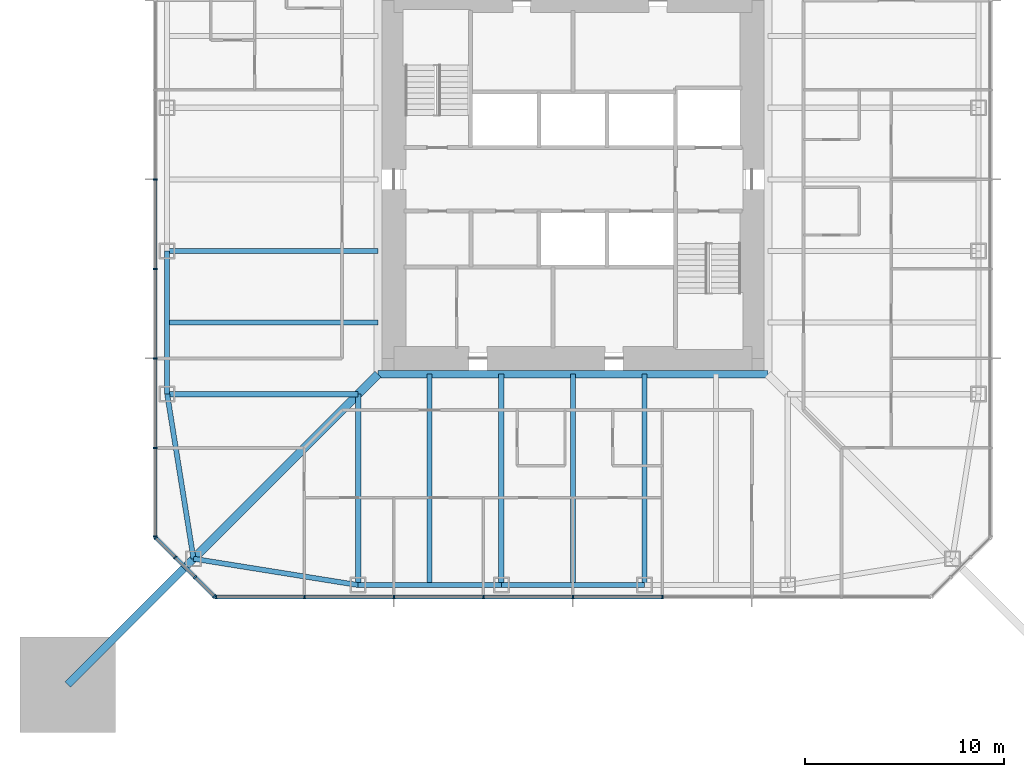
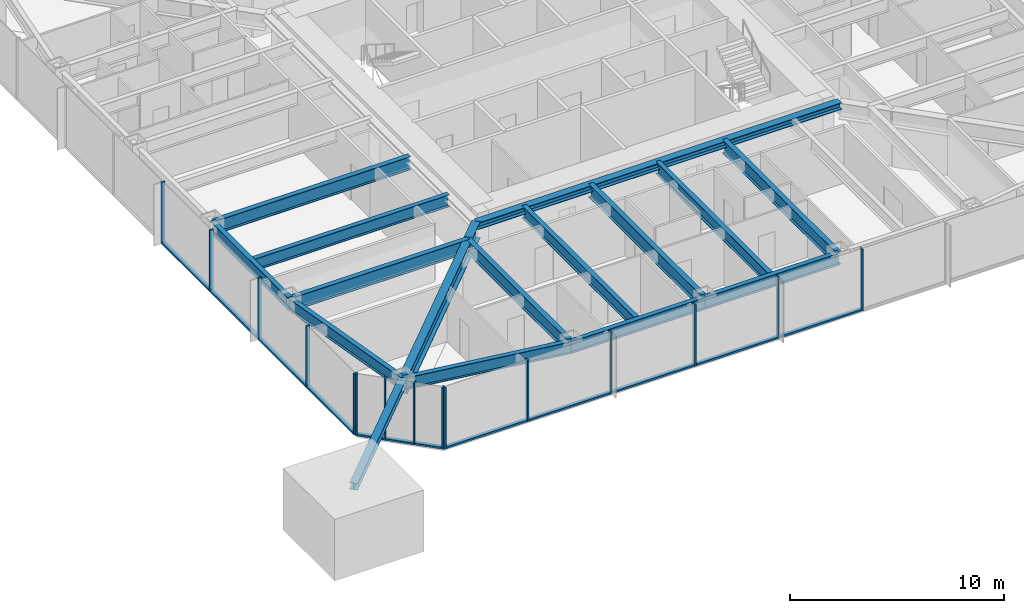
# One storey, part 3 of 25: 28 members, 15 beams, 3 elements without a shape of their own.
"""IFC4 building model written with IfcOpenShell, lengths in metres."""

from ifc_helpers import new_model, si_unit, direction, frame, origin, origin_2d, place, context, subcontext, project, spatial, rectangle, i_section, extrude, material, material_profile, profile_set, type_object, element, aggregate, save


model = new_model("IFC4")

# Units and contexts
model_context = context("Model", 3, precision=1e-05, world=origin(), true_north=direction((0.0, 1.0)))
body_context = subcontext(model_context, "Body", "Model", "MODEL_VIEW")
ifc_project = project(units=[si_unit("LENGTHUNIT", "METRE"), si_unit("AREAUNIT", "SQUARE_METRE"), si_unit("VOLUMEUNIT", "CUBIC_METRE"), si_unit("PLANEANGLEUNIT", "RADIAN"), si_unit("MASSUNIT", "GRAM", prefix="KILO")], contexts=[model_context])

# Site, building, storey
site_placement = place(None, origin())
site = spatial("IfcSite", under=ifc_project, at=site_placement, CompositionType="ELEMENT")
building_placement = place(site_placement, origin())
building = spatial("IfcBuilding", under=site, at=building_placement, Name="Iwan Alto Co-Living Towers", CompositionType="ELEMENT")
storey_placement = place(building_placement, frame((0.0, 0.0, 119.0)))
storey = spatial("IfcBuildingStorey", under=building, at=storey_placement, Name="L32", CompositionType="ELEMENT", Elevation=119.0)

# Curtain wall, members
ifc_material_1 = material(Name="Bronze aluminium unitised frame", Category="aluminium")
curtain_wall_type_1 = type_object("IfcCurtainWallType", Name="CURTAIN WALL CW-A", PredefinedType="NOTDEFINED", material=ifc_material_1)
curtain_wall_1_placement = place(storey_placement, origin())
curtain_wall_1 = element("IfcCurtainWall", 1, at=curtain_wall_1_placement, inside=storey, type_object=curtain_wall_type_1, Name="T1 curtain wall S L32", PredefinedType="NOTDEFINED")
ifc_material_2 = material(Name="Aluminium 6063-T6 bronze anodised", Category="aluminium")
ifc_material_profile_1 = material_profile(ifc_material_2, rectangle(XDim=0.199951171875, YDim=0.080078125, at=origin_2d()), Name="AL 80X200")
ifc_profile_set_1 = profile_set([ifc_material_profile_1], Name="Aluminium 6063-T6 bronze anodised")
member_type_1 = type_object("IfcMemberType", Name="CW-A MULLION 80X200", PredefinedType="MULLION", material=ifc_profile_set_1)
member_1_placement = place(storey_placement, frame((-17.9599609375, -21.0, 0.0), z_axis=(0.0, 0.0, 1.0), x_axis=(0.0, 1.0, 0.0)))
member_1 = element("IfcMember", 2, at=member_1_placement, type_object=member_type_1, Name="CW-A mullion 1", PredefinedType="MULLION", context=body_context, shape_type="SweptSolid", body=[
    extrude(rectangle(XDim=0.199951171875, YDim=0.080078125, at=origin_2d()), origin(), (0.0, 0.0, 1.0), 3.5),
])
member_2_placement = place(storey_placement, frame((-13.5, -21.0, 0.0), z_axis=(0.0, 0.0, 1.0), x_axis=(0.0, 1.0, 0.0)))
member_2 = element("IfcMember", 3, at=member_2_placement, type_object=member_type_1, Name="CW-A mullion 2", PredefinedType="MULLION", context=body_context, shape_type="SweptSolid", body=[
    extrude(rectangle(XDim=0.199951171875, YDim=0.080078125, at=origin_2d()), origin(), (0.0, 0.0, 1.0), 3.5),
])
member_3_placement = place(storey_placement, frame((-9.0, -21.0, 0.0), z_axis=(0.0, 0.0, 1.0), x_axis=(0.0, 1.0, 0.0)))
member_3 = element("IfcMember", 4, at=member_3_placement, type_object=member_type_1, Name="CW-A mullion 3", PredefinedType="MULLION", context=body_context, shape_type="SweptSolid", body=[
    extrude(rectangle(XDim=0.199951171875, YDim=0.080078125, at=origin_2d()), origin(), (0.0, 0.0, 1.0), 3.5),
])
member_4_placement = place(storey_placement, frame((-4.5, -21.0, 0.0), z_axis=(0.0, 0.0, 1.0), x_axis=(0.0, 1.0, 0.0)))
member_4 = element("IfcMember", 5, at=member_4_placement, type_object=member_type_1, Name="CW-A mullion 4", PredefinedType="MULLION", context=body_context, shape_type="SweptSolid", body=[
    extrude(rectangle(XDim=0.199951171875, YDim=0.080078125, at=origin_2d()), origin(), (0.0, 0.0, 1.0), 3.5),
])
member_5_placement = place(storey_placement, frame((0.0, -21.0, 0.0), z_axis=(0.0, 0.0, 1.0), x_axis=(0.0, 1.0, 0.0)))
member_5 = element("IfcMember", 6, at=member_5_placement, type_object=member_type_1, Name="CW-A mullion 5", PredefinedType="MULLION", context=body_context, shape_type="SweptSolid", body=[
    extrude(rectangle(XDim=0.199951171875, YDim=0.080078125, at=origin_2d()), origin(), (0.0, 0.0, 1.0), 3.5),
])
member_6_placement = place(storey_placement, frame((4.5, -21.0, 0.0), z_axis=(0.0, 0.0, 1.0), x_axis=(0.0, 1.0, 0.0)))
member_6 = element("IfcMember", 7, at=member_6_placement, type_object=member_type_1, Name="CW-A mullion 6", PredefinedType="MULLION", context=body_context, shape_type="SweptSolid", body=[
    extrude(rectangle(XDim=0.199951171875, YDim=0.080078125, at=origin_2d()), origin(), (0.0, 0.0, 1.0), 3.5),
])

curtain_wall_2_placement = place(storey_placement, origin())
curtain_wall_2 = element("IfcCurtainWall", 8, at=curtain_wall_2_placement, inside=storey, type_object=curtain_wall_type_1, Name="T1 curtain wall W L32", PredefinedType="NOTDEFINED")
member_7_placement = place(storey_placement, frame((-21.0, 0.0, 0.0), z_axis=(0.0, 0.0, 1.0), x_axis=(1.0, 0.0, 0.0)))
member_7 = element("IfcMember", 9, at=member_7_placement, type_object=member_type_1, Name="CW-A mullion 5", PredefinedType="MULLION", context=body_context, shape_type="SweptSolid", body=[
    extrude(rectangle(XDim=0.199951171875, YDim=0.080078125, at=origin_2d()), origin(), (0.0, 0.0, 1.0), 3.5),
])
member_8_placement = place(storey_placement, frame((-21.0, -4.5, 0.0), z_axis=(0.0, 0.0, 1.0), x_axis=(1.0, 0.0, 0.0)))
member_8 = element("IfcMember", 10, at=member_8_placement, type_object=member_type_1, Name="CW-A mullion 6", PredefinedType="MULLION", context=body_context, shape_type="SweptSolid", body=[
    extrude(rectangle(XDim=0.199951171875, YDim=0.080078125, at=origin_2d()), origin(), (0.0, 0.0, 1.0), 3.5),
])
member_9_placement = place(storey_placement, frame((-21.0, -9.0, 0.0), z_axis=(0.0, 0.0, 1.0), x_axis=(1.0, 0.0, 0.0)))
member_9 = element("IfcMember", 11, at=member_9_placement, type_object=member_type_1, Name="CW-A mullion 7", PredefinedType="MULLION", context=body_context, shape_type="SweptSolid", body=[
    extrude(rectangle(XDim=0.199951171875, YDim=0.080078125, at=origin_2d()), origin(), (0.0, 0.0, 1.0), 3.5),
])
member_10_placement = place(storey_placement, frame((-21.0, -13.5, 0.0), z_axis=(0.0, 0.0, 1.0), x_axis=(1.0, 0.0, 0.0)))
member_10 = element("IfcMember", 12, at=member_10_placement, type_object=member_type_1, Name="CW-A mullion 8", PredefinedType="MULLION", context=body_context, shape_type="SweptSolid", body=[
    extrude(rectangle(XDim=0.199951171875, YDim=0.080078125, at=origin_2d()), origin(), (0.0, 0.0, 1.0), 3.5),
])
member_11_placement = place(storey_placement, frame((-21.0, -17.9599609375, 0.0), z_axis=(0.0, 0.0, 1.0), x_axis=(1.0, 0.0, 0.0)))
member_11 = element("IfcMember", 13, at=member_11_placement, type_object=member_type_1, Name="CW-A mullion 9", PredefinedType="MULLION", context=body_context, shape_type="SweptSolid", body=[
    extrude(rectangle(XDim=0.199951171875, YDim=0.080078125, at=origin_2d()), origin(), (0.0, 0.0, 1.0), 3.5),
])

# Member
ifc_material_3 = material(Name="Aluminium 6063-T6 bronze anodised", Category="aluminium")
ifc_material_profile_2 = material_profile(ifc_material_3, rectangle(XDim=0.199951171875, YDim=0.10009765625, at=origin_2d()), Name="AL 200X100")
ifc_profile_set_2 = profile_set([ifc_material_profile_2], Name="Aluminium 6063-T6 bronze anodised")
member_type_2 = type_object("IfcMemberType", Name="CW-A TRANSOM 200X100", PredefinedType="USERDEFINED", material=ifc_profile_set_2)
member_12_placement = place(storey_placement, frame((-17.919921875, -21.0, 0.050048828125), z_axis=(1.0, 0.0, 0.0), x_axis=(0.0, 1.0, 0.0)))
member_12 = element("IfcMember", 14, at=member_12_placement, type_object=member_type_2, Name="CW-A transom 1.1", ObjectType="TRANSOM", PredefinedType="USERDEFINED", context=body_context, shape_type="SweptSolid", body=[
    extrude(rectangle(XDim=0.199951171875, YDim=0.10009765625, at=origin_2d()), origin(), (0.0, 0.0, 1.0), 4.3798828125),
])

member_13_placement = place(storey_placement, frame((-13.4599609375, -21.0, 0.050048828125), z_axis=(1.0, 0.0, 0.0), x_axis=(0.0, 1.0, 0.0)))
member_13 = element("IfcMember", 15, at=member_13_placement, type_object=member_type_2, Name="CW-A transom 2.1", ObjectType="TRANSOM", PredefinedType="USERDEFINED", context=body_context, shape_type="SweptSolid", body=[
    extrude(rectangle(XDim=0.199951171875, YDim=0.10009765625, at=origin_2d()), origin(), (0.0, 0.0, 1.0), 4.419921875),
])

member_14_placement = place(storey_placement, frame((-8.9599609375, -21.0, 0.050048828125), z_axis=(1.0, 0.0, 0.0), x_axis=(0.0, 1.0, 0.0)))
member_14 = element("IfcMember", 16, at=member_14_placement, type_object=member_type_2, Name="CW-A transom 3.1", ObjectType="TRANSOM", PredefinedType="USERDEFINED", context=body_context, shape_type="SweptSolid", body=[
    extrude(rectangle(XDim=0.199951171875, YDim=0.10009765625, at=origin_2d()), origin(), (0.0, 0.0, 1.0), 4.419921875),
])

member_15_placement = place(storey_placement, frame((-4.4599609375, -21.0, 0.050048828125), z_axis=(1.0, 0.0, 0.0), x_axis=(0.0, 1.0, 0.0)))
member_15 = element("IfcMember", 17, at=member_15_placement, type_object=member_type_2, Name="CW-A transom 4.1", ObjectType="TRANSOM", PredefinedType="USERDEFINED", context=body_context, shape_type="SweptSolid", body=[
    extrude(rectangle(XDim=0.199951171875, YDim=0.10009765625, at=origin_2d()), origin(), (0.0, 0.0, 1.0), 4.419921875),
])

member_16_placement = place(storey_placement, frame((0.0400390625, -21.0, 0.050048828125), z_axis=(1.0, 0.0, 0.0), x_axis=(0.0, 1.0, 0.0)))
member_16 = element("IfcMember", 18, at=member_16_placement, type_object=member_type_2, Name="CW-A transom 5.1", ObjectType="TRANSOM", PredefinedType="USERDEFINED", context=body_context, shape_type="SweptSolid", body=[
    extrude(rectangle(XDim=0.199951171875, YDim=0.10009765625, at=origin_2d()), origin(), (0.0, 0.0, 1.0), 4.419921875),
])

aggregate(curtain_wall_1, [member_1, member_2, member_3, member_4, member_5, member_6, member_12, member_13, member_14, member_15, member_16])

member_17_placement = place(storey_placement, frame((-21.0, -0.0400390625, 0.050048828125), z_axis=(0.0, -1.0, 0.0), x_axis=(1.0, 0.0, 0.0)))
member_17 = element("IfcMember", 19, at=member_17_placement, type_object=member_type_2, Name="CW-A transom 5.1", ObjectType="TRANSOM", PredefinedType="USERDEFINED", context=body_context, shape_type="SweptSolid", body=[
    extrude(rectangle(XDim=0.199951171875, YDim=0.10009765625, at=origin_2d()), origin(), (0.0, 0.0, 1.0), 4.419921875),
])

member_18_placement = place(storey_placement, frame((-21.0, -4.5400390625, 0.050048828125), z_axis=(0.0, -1.0, 0.0), x_axis=(1.0, 0.0, 0.0)))
member_18 = element("IfcMember", 20, at=member_18_placement, type_object=member_type_2, Name="CW-A transom 6.1", ObjectType="TRANSOM", PredefinedType="USERDEFINED", context=body_context, shape_type="SweptSolid", body=[
    extrude(rectangle(XDim=0.199951171875, YDim=0.10009765625, at=origin_2d()), origin(), (0.0, 0.0, 1.0), 4.419921875),
])

member_19_placement = place(storey_placement, frame((-21.0, -9.0400390625, 0.050048828125), z_axis=(0.0, -1.0, 0.0), x_axis=(1.0, 0.0, 0.0)))
member_19 = element("IfcMember", 21, at=member_19_placement, type_object=member_type_2, Name="CW-A transom 7.1", ObjectType="TRANSOM", PredefinedType="USERDEFINED", context=body_context, shape_type="SweptSolid", body=[
    extrude(rectangle(XDim=0.199951171875, YDim=0.10009765625, at=origin_2d()), origin(), (0.0, 0.0, 1.0), 4.419921875),
])

member_20_placement = place(storey_placement, frame((-21.0, -13.5400390625, 0.050048828125), z_axis=(0.0, -1.0, 0.0), x_axis=(1.0, 0.0, 0.0)))
member_20 = element("IfcMember", 22, at=member_20_placement, type_object=member_type_2, Name="CW-A transom 8.1", ObjectType="TRANSOM", PredefinedType="USERDEFINED", context=body_context, shape_type="SweptSolid", body=[
    extrude(rectangle(XDim=0.199951171875, YDim=0.10009765625, at=origin_2d()), origin(), (0.0, 0.0, 1.0), 4.3798828125),
])

aggregate(curtain_wall_2, [member_7, member_8, member_9, member_10, member_11, member_17, member_18, member_19, member_20])

# Curtain wall, members
ifc_material_4 = material(Name="Bronze aluminium unitised frame", Category="aluminium")
curtain_wall_type_2 = type_object("IfcCurtainWallType", Name="CURTAIN WALL CW-B", PredefinedType="NOTDEFINED", material=ifc_material_4)
curtain_wall_3_placement = place(storey_placement, origin())
curtain_wall_3 = element("IfcCurtainWall", 23, at=curtain_wall_3_placement, inside=storey, type_object=curtain_wall_type_2, Name="T1 chamfer curtain wall SW L32", PredefinedType="NOTDEFINED")
ifc_material_5 = material(Name="Aluminium 6063-T6 bronze anodised", Category="aluminium")
ifc_material_profile_3 = material_profile(ifc_material_5, rectangle(XDim=0.199951171875, YDim=0.080078125, at=origin_2d()), Name="AL 80X200")
ifc_profile_set_3 = profile_set([ifc_material_profile_3], Name="Aluminium 6063-T6 bronze anodised")
member_type_3 = type_object("IfcMemberType", Name="CW-B MULLION 80X200", PredefinedType="MULLION", material=ifc_profile_set_3)
member_21_placement = place(storey_placement, frame((-20.9716796875, -18.0283203125, 0.0), z_axis=(0.0, 0.0, 1.0), x_axis=(0.707106781187, 0.707106781187, 0.0)))
member_21 = element("IfcMember", 24, at=member_21_placement, type_object=member_type_3, Name="CW-B mullion 1", PredefinedType="MULLION", context=body_context, shape_type="SweptSolid", body=[
    extrude(rectangle(XDim=0.199951171875, YDim=0.080078125, at=origin_2d()), origin(), (0.0, 0.0, 1.0), 3.5),
])
member_22_placement = place(storey_placement, frame((-20.0, -19.0, 0.0), z_axis=(0.0, 0.0, 1.0), x_axis=(0.707106781187, 0.707106781187, 0.0)))
member_22 = element("IfcMember", 25, at=member_22_placement, type_object=member_type_3, Name="CW-B mullion 2", PredefinedType="MULLION", context=body_context, shape_type="SweptSolid", body=[
    extrude(rectangle(XDim=0.199951171875, YDim=0.080078125, at=origin_2d()), origin(), (0.0, 0.0, 1.0), 3.5),
])
member_23_placement = place(storey_placement, frame((-19.0, -20.0, 0.0), z_axis=(0.0, 0.0, 1.0), x_axis=(0.707106781187, 0.707106781187, 0.0)))
member_23 = element("IfcMember", 26, at=member_23_placement, type_object=member_type_3, Name="CW-B mullion 3", PredefinedType="MULLION", context=body_context, shape_type="SweptSolid", body=[
    extrude(rectangle(XDim=0.199951171875, YDim=0.080078125, at=origin_2d()), origin(), (0.0, 0.0, 1.0), 3.5),
])
member_24_placement = place(storey_placement, frame((-18.0283203125, -20.9716796875, 0.0), z_axis=(0.0, 0.0, 1.0), x_axis=(0.707106781187, 0.707106781187, 0.0)))
member_24 = element("IfcMember", 27, at=member_24_placement, type_object=member_type_3, Name="CW-B mullion 4", PredefinedType="MULLION", context=body_context, shape_type="SweptSolid", body=[
    extrude(rectangle(XDim=0.199951171875, YDim=0.080078125, at=origin_2d()), origin(), (0.0, 0.0, 1.0), 3.5),
])
ifc_material_6 = material(Name="Aluminium 6063-T6 bronze anodised", Category="aluminium")
ifc_material_profile_4 = material_profile(ifc_material_6, rectangle(XDim=0.199951171875, YDim=0.10009765625, at=origin_2d()), Name="AL 200X100")
ifc_profile_set_4 = profile_set([ifc_material_profile_4], Name="Aluminium 6063-T6 bronze anodised")
member_type_4 = type_object("IfcMemberType", Name="CW-B TRANSOM 200X100", PredefinedType="USERDEFINED", material=ifc_profile_set_4)
member_25_placement = place(storey_placement, frame((-20.943359375, -18.056640625, 0.050048828125), z_axis=(0.707106781187, -0.707106781187, 0.0), x_axis=(0.707106781187, 0.707106781187, 0.0)))
member_25 = element("IfcMember", 28, at=member_25_placement, type_object=member_type_4, Name="CW-B transom 1.1", ObjectType="TRANSOM", PredefinedType="USERDEFINED", context=body_context, shape_type="SweptSolid", body=[
    extrude(rectangle(XDim=0.199951171875, YDim=0.10009765625, at=origin_2d()), origin(), (0.0, 0.0, 1.0), 1.2939453125),
])
member_26_placement = place(storey_placement, frame((-19.9716796875, -19.0283203125, 0.050048828125), z_axis=(0.707106781187, -0.707106781187, 0.0), x_axis=(0.707106781187, 0.707106781187, 0.0)))
member_26 = element("IfcMember", 29, at=member_26_placement, type_object=member_type_4, Name="CW-B transom 2.1", ObjectType="TRANSOM", PredefinedType="USERDEFINED", context=body_context, shape_type="SweptSolid", body=[
    extrude(rectangle(XDim=0.199951171875, YDim=0.10009765625, at=origin_2d()), origin(), (0.0, 0.0, 1.0), 1.334228515625),
])
member_27_placement = place(storey_placement, frame((-18.9716796875, -20.0283203125, 0.050048828125), z_axis=(0.707106781187, -0.707106781187, 0.0), x_axis=(0.707106781187, 0.707106781187, 0.0)))
member_27 = element("IfcMember", 30, at=member_27_placement, type_object=member_type_4, Name="CW-B transom 3.1", ObjectType="TRANSOM", PredefinedType="USERDEFINED", context=body_context, shape_type="SweptSolid", body=[
    extrude(rectangle(XDim=0.199951171875, YDim=0.10009765625, at=origin_2d()), origin(), (0.0, 0.0, 1.0), 1.2939453125),
])
aggregate(curtain_wall_3, [member_21, member_22, member_23, member_24, member_25, member_26, member_27])

# Beams
ifc_material_7 = material(Name="Steel ASTM A992 Gr 50", Category="steel")
ifc_material_profile_5 = material_profile(ifc_material_7, i_section(OverallWidth=0.398681640625, OverallDepth=0.385986328125, WebThickness=0.02099609375, FlangeThickness=0.033203125, at=origin_2d()), Name="W14X176")
ifc_profile_set_5 = profile_set([ifc_material_profile_5], Name="Steel ASTM A992 Gr 50")
beam_type_1 = type_object("IfcBeamType", Name="T1 CORE LEDGER BEAM W14X176", PredefinedType="BEAM", material=ifc_profile_set_5)
beam_1_placement = place(storey_placement, frame((-9.79931640625, -9.79931640625, 3.076904296875), z_axis=(1.0, 0.0, 0.0), x_axis=(0.0, 1.0, 0.0)))
element("IfcBeam", 31, at=beam_1_placement, inside=storey, type_object=beam_type_1, Name="T1 core ledger beam S L33", PredefinedType="BEAM", context=body_context, shape_type="SweptSolid", body=[
    extrude(i_section(OverallWidth=0.398681640625, OverallDepth=0.385986328125, WebThickness=0.02099609375, FlangeThickness=0.033203125, at=origin_2d()), origin(), (0.0, 0.0, 1.0), 19.5986328125),
])
ifc_material_8 = material(Name="Steel ASTM A992 Gr 50", Category="steel")
ifc_material_profile_6 = material_profile(ifc_material_8, i_section(OverallWidth=0.419189453125, OverallDepth=0.927001953125, WebThickness=0.019287109375, FlangeThickness=0.031982421875, at=origin_2d()), Name="W36X231")
ifc_profile_set_6 = profile_set([ifc_material_profile_6], Name="Steel ASTM A992 Gr 50")
beam_type_2 = type_object("IfcBeamType", Name="T1 CORNER GIRDER W36X231", PredefinedType="BEAM", material=ifc_profile_set_6)
beam_2_placement = place(storey_placement, frame((-19.07568359375, -19.07568359375, 2.806396484375), z_axis=(0.707106781187, 0.707106781187, 0.0), x_axis=(-0.707106781187, 0.707106781187, 0.0)))
element("IfcBeam", 32, at=beam_2_placement, inside=storey, type_object=beam_type_2, Name="T1 corner girder CSW L33", PredefinedType="BEAM", context=body_context, shape_type="SweptSolid", body=[
    extrude(i_section(OverallWidth=0.419189453125, OverallDepth=0.927001953125, WebThickness=0.019287109375, FlangeThickness=0.031982421875, at=origin_2d()), origin(), (0.0, 0.0, 1.0), 13.11865234375),
])
ifc_material_9 = material(Name="Steel ASTM A992 Gr 50", Category="steel")
ifc_material_profile_7 = material_profile(ifc_material_9, i_section(OverallWidth=0.25390625, OverallDepth=0.683349609375, WebThickness=0.012451171875, FlangeThickness=0.018798828125, at=origin_2d()), Name="W27X94")
ifc_profile_set_7 = profile_set([ifc_material_profile_7], Name="Steel ASTM A992 Gr 50")
beam_type_3 = type_object("IfcBeamType", Name="T1 EDGE BEAM W27X94", PredefinedType="BEAM", material=ifc_profile_set_7)
beam_3_placement = place(storey_placement, frame((-19.07568359375, -19.07568359375, 2.928466796875), z_axis=(0.987438450439, -0.158004134737, 0.0), x_axis=(0.158004134737, 0.987438450439, 0.0)))
element("IfcBeam", 33, at=beam_3_placement, inside=storey, type_object=beam_type_3, Name="T1 edge beam CSW L33", PredefinedType="BEAM", context=body_context, shape_type="SweptSolid", body=[
    extrude(i_section(OverallWidth=0.25390625, OverallDepth=0.683349609375, WebThickness=0.012451171875, FlangeThickness=0.018798828125, at=origin_2d()), origin(), (0.0, 0.0, 1.0), 8.380859375),
])
beam_4_placement = place(storey_placement, frame((-10.800048828125, -20.39990234375, 2.928466796875), z_axis=(1.0, 0.0, 0.0), x_axis=(0.0, 1.0, 0.0)))
element("IfcBeam", 34, at=beam_4_placement, inside=storey, type_object=beam_type_3, Name="T1 edge beam S1 L33", PredefinedType="BEAM", context=body_context, shape_type="SweptSolid", body=[
    extrude(i_section(OverallWidth=0.25390625, OverallDepth=0.683349609375, WebThickness=0.012451171875, FlangeThickness=0.018798828125, at=origin_2d()), origin(), (0.0, 0.0, 1.0), 7.199951171875),
])
beam_5_placement = place(storey_placement, frame((-3.60009765625, -20.39990234375, 2.928466796875), z_axis=(1.0, 0.0, 0.0), x_axis=(0.0, 1.0, 0.0)))
element("IfcBeam", 35, at=beam_5_placement, inside=storey, type_object=beam_type_3, Name="T1 edge beam S2 L33", PredefinedType="BEAM", context=body_context, shape_type="SweptSolid", body=[
    extrude(i_section(OverallWidth=0.25390625, OverallDepth=0.683349609375, WebThickness=0.012451171875, FlangeThickness=0.018798828125, at=origin_2d()), origin(), (0.0, 0.0, 1.0), 7.2001953125),
])
beam_6_placement = place(storey_placement, frame((-20.39990234375, -3.60009765625, 2.928466796875), z_axis=(0.0, -1.0, 0.0), x_axis=(1.0, 0.0, 0.0)))
element("IfcBeam", 36, at=beam_6_placement, inside=storey, type_object=beam_type_3, Name="T1 edge beam W3 L33", PredefinedType="BEAM", context=body_context, shape_type="SweptSolid", body=[
    extrude(i_section(OverallWidth=0.25390625, OverallDepth=0.683349609375, WebThickness=0.012451171875, FlangeThickness=0.018798828125, at=origin_2d()), origin(), (0.0, 0.0, 1.0), 7.199951171875),
])
beam_7_placement = place(storey_placement, frame((-20.39990234375, -10.800048828125, 2.928466796875), z_axis=(0.158004134737, -0.987438450439, 0.0), x_axis=(0.987438450439, 0.158004134737, 0.0)))
element("IfcBeam", 37, at=beam_7_placement, inside=storey, type_object=beam_type_3, Name="T1 edge beam W4 L33", PredefinedType="BEAM", context=body_context, shape_type="SweptSolid", body=[
    extrude(i_section(OverallWidth=0.25390625, OverallDepth=0.683349609375, WebThickness=0.012451171875, FlangeThickness=0.018798828125, at=origin_2d()), origin(), (0.0, 0.0, 1.0), 8.380859375),
])

# Member
ifc_material_10 = material(Name="Steel ASTM A992 Gr 50", Category="steel")
ifc_material_profile_8 = material_profile(ifc_material_10, i_section(OverallWidth=0.393798828125, OverallDepth=0.3759765625, WebThickness=0.017333984375, FlangeThickness=0.027587890625, at=origin_2d()), Name="W14X145")
ifc_profile_set_8 = profile_set([ifc_material_profile_8], Name="Steel ASTM A992 Gr 50")
member_type_5 = type_object("IfcMemberType", Name="T1 MEGA COLUMN FLOOR TIE W14X145", PredefinedType="STRUT", material=ifc_profile_set_8)
member_28_placement = place(storey_placement, frame((-25.39990234375, -25.39990234375, 3.08203125), z_axis=(0.707106781187, 0.707106781187, 0.0), x_axis=(-0.707106781187, 0.707106781187, 0.0)))
element("IfcMember", 38, at=member_28_placement, inside=storey, type_object=member_type_5, Name="T1 mega column floor tie SW L33", PredefinedType="STRUT", context=body_context, shape_type="SweptSolid", body=[
    extrude(i_section(OverallWidth=0.393798828125, OverallDepth=0.3759765625, WebThickness=0.017333984375, FlangeThickness=0.027587890625, at=origin_2d()), origin(), (0.0, 0.0, 1.0), 8.94384765625),
])

# Beams
ifc_material_11 = material(Name="Steel ASTM A992 Gr 50", Category="steel")
ifc_material_profile_9 = material_profile(ifc_material_11, i_section(OverallWidth=0.2666015625, OverallDepth=0.761962890625, WebThickness=0.014404296875, FlangeThickness=0.021484375, at=origin_2d()), Name="W30X116")
ifc_profile_set_9 = profile_set([ifc_material_profile_9], Name="Steel ASTM A992 Gr 50")
beam_type_4 = type_object("IfcBeamType", Name="T1 RADIAL BEAM W30X116", PredefinedType="BEAM", material=ifc_profile_set_9)
beam_8_placement = place(storey_placement, frame((-10.800048828125, -20.39990234375, 2.888916015625), z_axis=(0.0, 1.0, 0.0), x_axis=(-1.0, 0.0, 0.0)))
element("IfcBeam", 39, at=beam_8_placement, inside=storey, type_object=beam_type_4, Name="T1 radial beam S1 L33", PredefinedType="BEAM", context=body_context, shape_type="SweptSolid", body=[
    extrude(i_section(OverallWidth=0.2666015625, OverallDepth=0.761962890625, WebThickness=0.014404296875, FlangeThickness=0.021484375, at=origin_2d()), origin(), (0.0, 0.0, 1.0), 9.599853515625),
])
for number, where, z_axis, x_axis, name in (
    (40, (-3.60009765625, -20.39990234375, 2.888916015625), (0.0, 1.0, 0.0), (-1.0, 0.0, 0.0), "T1 radial beam S2 L33"),
    (41, (3.60009765625, -20.39990234375, 2.888916015625), (0.0, 1.0, 0.0), (-1.0, 0.0, 0.0), "T1 radial beam S3 L33"),
    (42, (-20.39990234375, -3.60009765625, 2.888916015625), (1.0, 0.0, 0.0), (0.0, 1.0, 0.0), "T1 radial beam W3 L33"),
):
    element("IfcBeam", number, at=place(storey_placement, frame(where, z_axis=z_axis, x_axis=x_axis)), inside=storey, type_object=beam_type_4, Name=name, PredefinedType="BEAM", context=body_context, shape_type="SweptSolid", body=[
        extrude(i_section(OverallWidth=0.2666015625, OverallDepth=0.761962890625, WebThickness=0.014404296875, FlangeThickness=0.021484375, at=origin_2d()), origin(), (0.0, 0.0, 1.0), 10.6005859375),
    ])
beam_9_placement = place(storey_placement, frame((-20.39990234375, -10.800048828125, 2.888916015625), z_axis=(1.0, 0.0, 0.0), x_axis=(0.0, 1.0, 0.0)))
element("IfcBeam", 43, at=beam_9_placement, inside=storey, type_object=beam_type_4, Name="T1 radial beam W4 L33", PredefinedType="BEAM", context=body_context, shape_type="SweptSolid", body=[
    extrude(i_section(OverallWidth=0.2666015625, OverallDepth=0.761962890625, WebThickness=0.014404296875, FlangeThickness=0.021484375, at=origin_2d()), origin(), (0.0, 0.0, 1.0), 9.599853515625),
])
ifc_material_12 = material(Name="Steel ASTM A992 Gr 50", Category="steel")
ifc_material_profile_10 = material_profile(ifc_material_12, i_section(OverallWidth=0.25390625, OverallDepth=0.683349609375, WebThickness=0.012451171875, FlangeThickness=0.018798828125, at=origin_2d()), Name="W27X94")
ifc_profile_set_10 = profile_set([ifc_material_profile_10], Name="Steel ASTM A992 Gr 50")
beam_type_5 = type_object("IfcBeamType", Name="T1 SECONDARY BEAM W27X94", PredefinedType="JOIST", material=ifc_profile_set_10)
for number, where, z_axis, x_axis, name in (
    (44, (-7.199951171875, -20.39990234375, 2.928466796875), (0.0, 1.0, 0.0), (-1.0, 0.0, 0.0), "T1 secondary beam S1 L33"),
    (45, (0.0, -20.39990234375, 2.928466796875), (0.0, 1.0, 0.0), (-1.0, 0.0, 0.0), "T1 secondary beam S2 L33"),
    (46, (-20.39990234375, -7.199951171875, 2.928466796875), (1.0, 0.0, 0.0), (0.0, 1.0, 0.0), "T1 secondary beam W3 L33"),
):
    element("IfcBeam", number, at=place(storey_placement, frame(where, z_axis=z_axis, x_axis=x_axis)), inside=storey, type_object=beam_type_5, Name=name, PredefinedType="JOIST", context=body_context, shape_type="SweptSolid", body=[
        extrude(i_section(OverallWidth=0.25390625, OverallDepth=0.683349609375, WebThickness=0.012451171875, FlangeThickness=0.018798828125, at=origin_2d()), origin(), (0.0, 0.0, 1.0), 10.6005859375),
    ])

save(model, "model.ifc")
